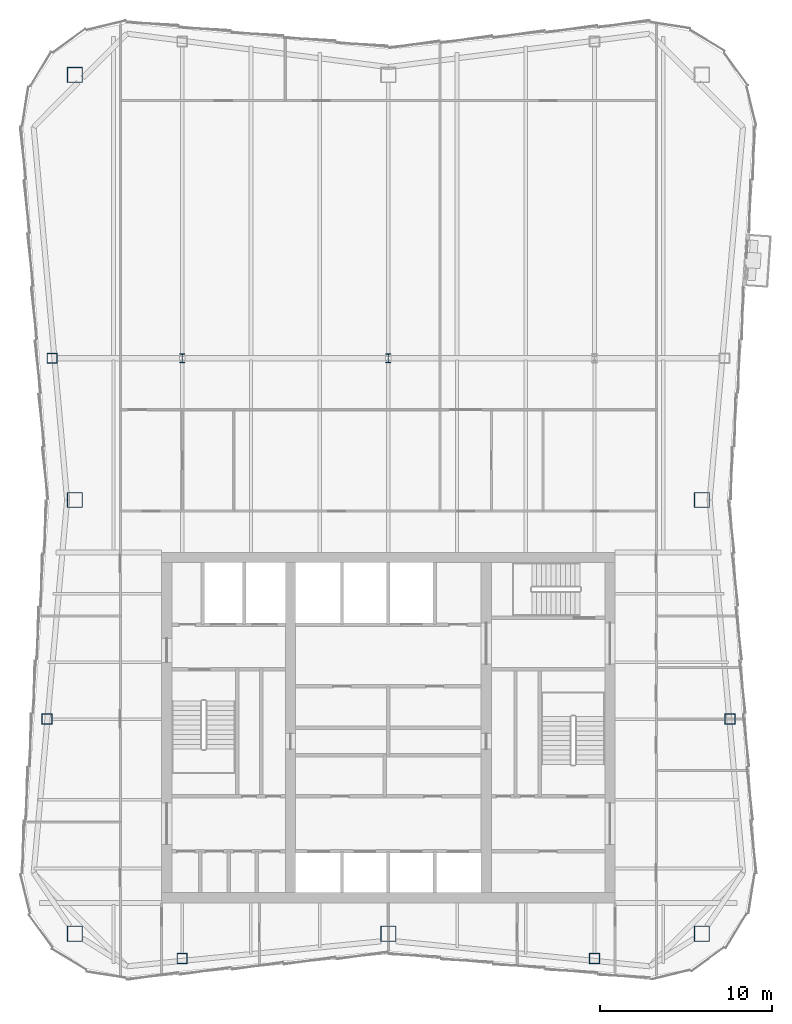
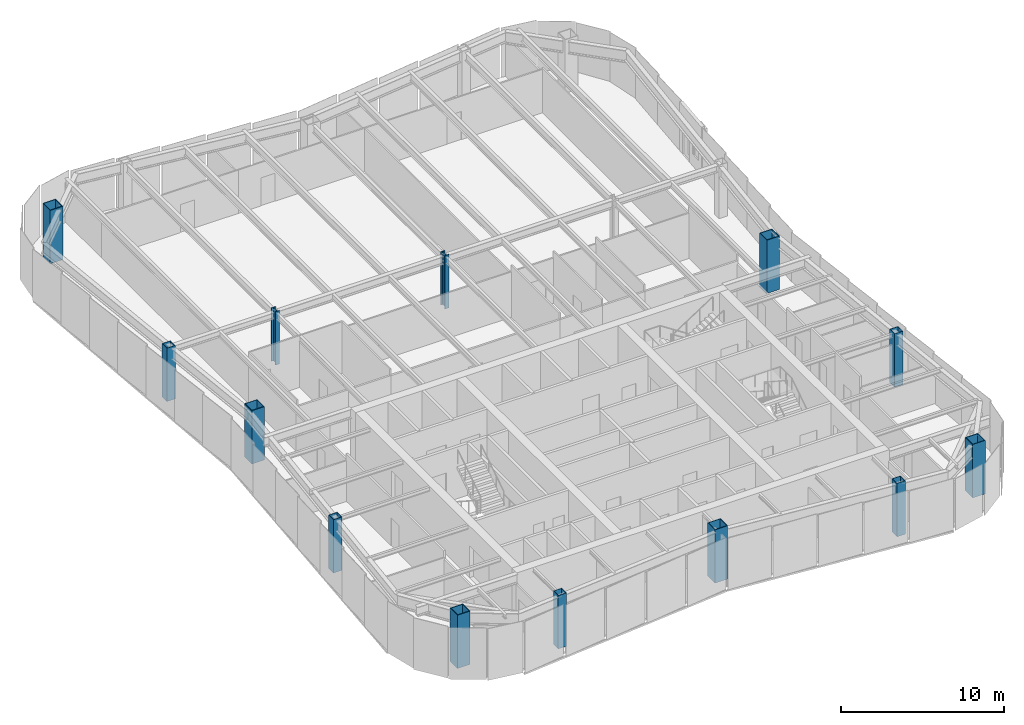
# One storey, part 1 of 11: 13 columns.
"""IFC4 building model written with IfcOpenShell, lengths in metres."""

from ifc_helpers import new_model, si_unit, direction, frame, origin, origin_2d, place, context, subcontext, project, spatial, hollow_rectangle, i_section, extrude, material, material_profile, profile_set, type_object, element, save


model = new_model("IFC4")

# Units and contexts
model_context = context("Model", 3, precision=1e-05, world=origin(), true_north=direction((0.0, 1.0)))
body_context = subcontext(model_context, "Body", "Model", "MODEL_VIEW")
ifc_project = project(units=[si_unit("LENGTHUNIT", "METRE"), si_unit("AREAUNIT", "SQUARE_METRE"), si_unit("VOLUMEUNIT", "CUBIC_METRE"), si_unit("PLANEANGLEUNIT", "RADIAN"), si_unit("MASSUNIT", "GRAM", prefix="KILO")], contexts=[model_context])

# Site, building, storey
site_placement = place(None, origin())
site = spatial("IfcSite", under=ifc_project, at=site_placement, CompositionType="ELEMENT")
building_placement = place(site_placement, origin())
building = spatial("IfcBuilding", under=site, at=building_placement, Name="Verdant Reach Tower", CompositionType="ELEMENT")
storey_placement = place(building_placement, frame((0.0, 0.0, 298.0)))
storey = spatial("IfcBuildingStorey", under=building, at=storey_placement, Name="L68", CompositionType="ELEMENT", Elevation=298.0)

# Columns
ifc_material = material(Name="Steel S460", Category="steel")
ifc_material_profile_1 = material_profile(ifc_material, i_section(OverallWidth=0.305908203125, OverallDepth=0.52392578125, WebThickness=0.012451171875, FlangeThickness=0.0400390625, FilletRadius=0.027099609375, at=origin_2d()), Name="HEM 500")
ifc_profile_set_1 = profile_set([ifc_material_profile_1], Name="Steel S460")
column_type_1 = type_object("IfcColumnType", Name="ST-COL-HEM500", PredefinedType="COLUMN", material=ifc_profile_set_1)
for number, where, z_axis, x_axis, name in (
    (1, (-12.0, 49.5, 0.0), (0.0, 0.0, 1.0), (1.0, 0.0, 0.0), "Interior column 1, L68"),
    (2, (0.0, 49.5, 0.0), (0.0, 0.0, 1.0), (1.0, 0.0, 0.0), "Interior column 2, L68"),
):
    element("IfcColumn", number, at=place(storey_placement, frame(where, z_axis=z_axis, x_axis=x_axis)), inside=storey, type_object=column_type_1, Name=name, PredefinedType="COLUMN", context=body_context, shape_type="SweptSolid", body=[
        extrude(i_section(OverallWidth=0.305908203125, OverallDepth=0.52392578125, WebThickness=0.012451171875, FlangeThickness=0.0400390625, FilletRadius=0.027099609375, at=origin_2d()), origin(), (0.0, 0.0, 1.0), 4.0),
    ])
ifc_material_profile_2 = material_profile(ifc_material, hollow_rectangle(XDim=0.60009765625, YDim=0.60009765625, WallThickness=0.02490234375, at=origin_2d()), Name="WB 600x600x25")
ifc_profile_set_2 = profile_set([ifc_material_profile_2], Name="Steel S460")
column_type_2 = type_object("IfcColumnType", Name="ST-COL-WB600x600x25", PredefinedType="COLUMN", material=ifc_profile_set_2)
for number, where, z_axis, x_axis, name in (
    (3, (-12.0, 14.569580078125, 0.0), (0.0, 0.0, 1.0), (1.0, 0.0, 0.0), "Perimeter column south 1, L68"),
    (4, (12.0, 14.569580078125, 0.0), (0.0, 0.0, 1.0), (1.0, 0.0, 0.0), "Perimeter column south 2, L68"),
    (5, (19.87939453125, 28.5, 0.0), (0.0, 0.0, 1.0), (1.0, 0.0, 0.0), "Perimeter column east 1, L68"),
    (6, (-19.87939453125, 28.5, 0.0), (0.0, 0.0, 1.0), (1.0, 0.0, 0.0), "Perimeter column west 1, L68"),
    (7, (-19.569091796875, 49.5, 0.0), (0.0, 0.0, 1.0), (1.0, 0.0, 0.0), "Perimeter column west 2, L68"),
):
    element("IfcColumn", number, at=place(storey_placement, frame(where, z_axis=z_axis, x_axis=x_axis)), inside=storey, type_object=column_type_2, Name=name, PredefinedType="COLUMN", context=body_context, shape_type="SweptSolid", body=[
        extrude(hollow_rectangle(XDim=0.60009765625, YDim=0.60009765625, WallThickness=0.02490234375, at=origin_2d()), origin(), (0.0, 0.0, 1.0), 4.0),
    ])
ifc_material_profile_3 = material_profile(ifc_material, hollow_rectangle(XDim=0.89990234375, YDim=0.89990234375, WallThickness=0.0400390625, at=origin_2d()), Name="WB 900x900x40")
ifc_profile_set_3 = profile_set([ifc_material_profile_3], Name="Steel S460")
column_type_3 = type_object("IfcColumnType", Name="ST-COL-WB900x900x40", PredefinedType="COLUMN", material=ifc_profile_set_3)
for number, where, z_axis, x_axis, name in (
    (8, (-18.25, 66.0, 0.0), (0.0, 0.0, 1.0), (1.0, 0.0, 0.0), "Mega column north-west, L68"),
    (9, (18.25, 41.25, 0.0), (0.0, 0.0, 1.0), (1.0, 0.0, 0.0), "Mega column east, L68"),
    (10, (18.25, 16.0, 0.0), (0.0, 0.0, 1.0), (1.0, 0.0, 0.0), "Mega column south-east, L68"),
    (11, (0.0, 16.0, 0.0), (0.0, 0.0, 1.0), (1.0, 0.0, 0.0), "Mega column south, L68"),
    (12, (-18.25, 16.0, 0.0), (0.0, 0.0, 1.0), (1.0, 0.0, 0.0), "Mega column south-west, L68"),
    (13, (-18.25, 41.25, 0.0), (0.0, 0.0, 1.0), (1.0, 0.0, 0.0), "Mega column west, L68"),
):
    element("IfcColumn", number, at=place(storey_placement, frame(where, z_axis=z_axis, x_axis=x_axis)), inside=storey, type_object=column_type_3, Name=name, PredefinedType="COLUMN", context=body_context, shape_type="SweptSolid", body=[
        extrude(hollow_rectangle(XDim=0.89990234375, YDim=0.89990234375, WallThickness=0.0400390625, at=origin_2d()), origin(), (0.0, 0.0, 1.0), 4.0),
    ])

save(model, "model.ifc")
